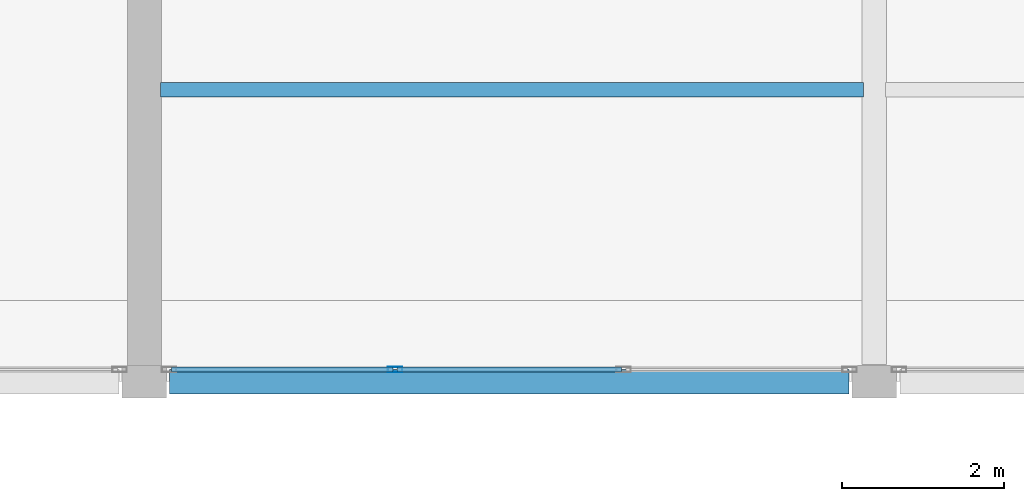
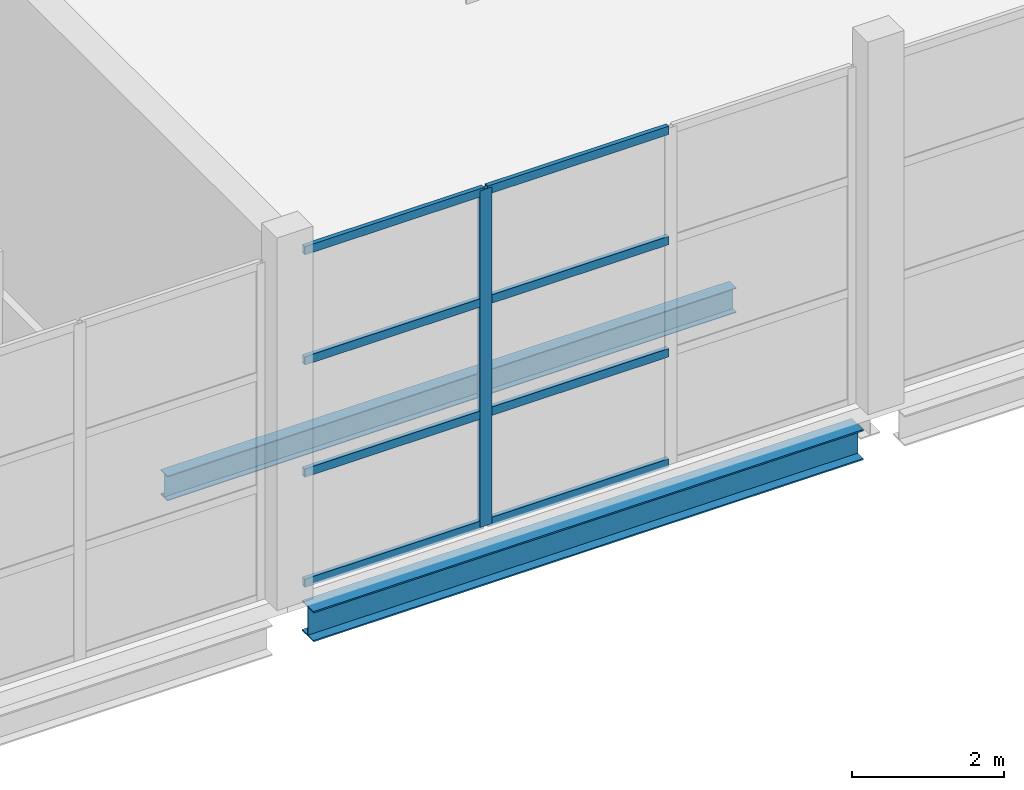
# One storey, part 71 of 191: 9 members, 2 beams, 1 element without a shape of its own.
"""IFC4 building model written with IfcOpenShell, lengths in metres."""

from ifc_helpers import new_model, si_unit, direction, frame, origin, origin_2d, place, context, subcontext, project, spatial, hollow_rectangle, i_section, extrude, material, layer, layer_set, material_profile, profile_set, type_object, element, aggregate, save


model = new_model("IFC4")

# Units and contexts
model_context = context("Model", 3, precision=1e-05, world=origin(), true_north=direction((0.0, 1.0)))
body_context = subcontext(model_context, "Body", "Model", "MODEL_VIEW")
ifc_project = project(units=[si_unit("LENGTHUNIT", "METRE"), si_unit("AREAUNIT", "SQUARE_METRE"), si_unit("VOLUMEUNIT", "CUBIC_METRE"), si_unit("PLANEANGLEUNIT", "RADIAN"), si_unit("MASSUNIT", "GRAM", prefix="KILO")], contexts=[model_context])

# Site, building, storey
site_placement = place(None, origin())
site = spatial("IfcSite", under=ifc_project, at=site_placement, CompositionType="ELEMENT")
building_placement = place(site_placement, origin())
building = spatial("IfcBuilding", under=site, at=building_placement, Name="Tamarisk Ironworks Central Station", CompositionType="ELEMENT")
storey_placement = place(building_placement, frame((0.0, 0.0, 6.60009765625)))
storey = spatial("IfcBuildingStorey", under=building, at=storey_placement, Name="L01", CompositionType="ELEMENT", Elevation=6.60009765625)

# Beams
ifc_material_1 = material(Name="Structural steel S355J2", Category="steel")
ifc_material_profile_1 = material_profile(ifc_material_1, i_section(OverallWidth=0.179931640625, OverallDepth=0.39990234375, WebThickness=0.008544921875, FlangeThickness=0.013427734375, at=origin_2d()), Name="IPE 400")
ifc_profile_set_1 = profile_set([ifc_material_profile_1], Name="Structural steel S355J2")
beam_type_1 = type_object("IfcBeamType", Name="BM-B04", PredefinedType="BEAM", material=ifc_profile_set_1)
beam_1_placement = place(storey_placement, frame((27.199951171875, 93.60009765625, -0.4501953125), z_axis=(1.0, 0.0, 0.0), x_axis=(0.0, 1.0, 0.0)))
element("IfcBeam", 1, at=beam_1_placement, inside=storey, type_object=beam_type_1, Name="L01 secondary composite beam 0060", PredefinedType="BEAM", context=body_context, shape_type="SweptSolid", body=[
    extrude(i_section(OverallWidth=0.179931640625, OverallDepth=0.39990234375, WebThickness=0.008544921875, FlangeThickness=0.013427734375, at=origin_2d()), origin(), (0.0, 0.0, 1.0), 8.6650390625),
])
ifc_material_profile_2 = material_profile(ifc_material_1, i_section(OverallWidth=0.300048828125, OverallDepth=0.489990234375, WebThickness=0.011962890625, FlangeThickness=0.02294921875, at=origin_2d()), Name="HEA 500")
ifc_profile_set_2 = profile_set([ifc_material_profile_2], Name="Structural steel S355J2")
beam_type_2 = type_object("IfcBeamType", Name="BM-G05", PredefinedType="BEAM", material=ifc_profile_set_2)
beam_2_placement = place(storey_placement, frame((27.31298828125, 90.0, -0.4951171875), z_axis=(1.0, 0.0, 0.0), x_axis=(0.0, 1.0, 0.0)))
element("IfcBeam", 2, at=beam_2_placement, inside=storey, type_object=beam_type_2, Name="L01 primary girder X-0096", PredefinedType="BEAM", context=body_context, shape_type="SweptSolid", body=[
    extrude(i_section(OverallWidth=0.300048828125, OverallDepth=0.489990234375, WebThickness=0.011962890625, FlangeThickness=0.02294921875, at=origin_2d()), origin(), (0.0, 0.0, 1.0), 8.3740234375),
])

# Curtain wall, members
ifc_material_2 = material(Name="Anodized aluminium alloy 6063-T6", Category="aluminium")
ifc_layer = layer(ifc_material_2, 0.179931640625)
ifc_layer_set = layer_set([ifc_layer], Name="Anodized aluminium alloy 6063-T6")
curtain_wall_type = type_object("IfcCurtainWallType", Name="CW-10", PredefinedType="USERDEFINED", material=ifc_layer_set)
curtain_wall_placement = place(storey_placement, origin())
curtain_wall = element("IfcCurtainWall", 3, at=curtain_wall_placement, inside=storey, type_object=curtain_wall_type, Name="Pavilion L01 S glazed arcade 27", ObjectType="GLAZED CURTAIN WALL", PredefinedType="USERDEFINED")
ifc_material_profile_3 = material_profile(ifc_material_2, hollow_rectangle(XDim=0.06494140625, YDim=0.179931640625, WallThickness=0.00390625, at=origin_2d()), Name="ALUM 180x65")
ifc_profile_set_3 = profile_set([ifc_material_profile_3], Name="Anodized aluminium alloy 6063-T6")
member_type_1 = type_object("IfcMemberType", Name="CWM-02", PredefinedType="MULLION", material=ifc_profile_set_3)
member_1_placement = place(storey_placement, frame((30.091064453125, 90.14990234375, 0.0), z_axis=(0.0, 0.0, 1.0), x_axis=(0.0, 1.0, 0.0)))
member_1 = element("IfcMember", 4, at=member_1_placement, type_object=member_type_1, Name="CW10 mullion 2", PredefinedType="MULLION", context=body_context, shape_type="SweptSolid", body=[
    extrude(hollow_rectangle(XDim=0.06494140625, YDim=0.179931640625, WallThickness=0.00390625, at=origin_2d()), origin(), (0.0, 0.0, 1.0), 5.419921875),
])
ifc_material_profile_4 = material_profile(ifc_material_2, hollow_rectangle(XDim=0.06494140625, YDim=0.135009765625, WallThickness=0.00341796875, at=origin_2d()), Name="ALUM 135x65")
ifc_profile_set_4 = profile_set([ifc_material_profile_4], Name="Anodized aluminium alloy 6063-T6")
member_type_2 = type_object("IfcMemberType", Name="CWT-02", PredefinedType="USERDEFINED", material=ifc_profile_set_4)
member_2_placement = place(storey_placement, frame((27.333984375, 90.14990234375, 0.032470703125), z_axis=(1.0, 0.0, 0.0), x_axis=(0.0, 1.0, 0.0)))
member_2 = element("IfcMember", 5, at=member_2_placement, type_object=member_type_2, Name="CW10 transom 1.1", ObjectType="TRANSOM", PredefinedType="USERDEFINED", context=body_context, shape_type="SweptSolid", body=[
    extrude(hollow_rectangle(XDim=0.06494140625, YDim=0.135009765625, WallThickness=0.00341796875, at=origin_2d()), origin(), (0.0, 0.0, 1.0), 2.728515625),
])
member_3_placement = place(storey_placement, frame((27.333984375, 90.14990234375, 1.806640625), z_axis=(1.0, 0.0, 0.0), x_axis=(0.0, 1.0, 0.0)))
member_3 = element("IfcMember", 6, at=member_3_placement, type_object=member_type_2, Name="CW10 transom 1.2", ObjectType="TRANSOM", PredefinedType="USERDEFINED", context=body_context, shape_type="SweptSolid", body=[
    extrude(hollow_rectangle(XDim=0.06494140625, YDim=0.135009765625, WallThickness=0.00341796875, at=origin_2d()), origin(), (0.0, 0.0, 1.0), 2.728515625),
])
member_4_placement = place(storey_placement, frame((27.333984375, 90.14990234375, 3.61328125), z_axis=(1.0, 0.0, 0.0), x_axis=(0.0, 1.0, 0.0)))
member_4 = element("IfcMember", 7, at=member_4_placement, type_object=member_type_2, Name="CW10 transom 1.3", ObjectType="TRANSOM", PredefinedType="USERDEFINED", context=body_context, shape_type="SweptSolid", body=[
    extrude(hollow_rectangle(XDim=0.06494140625, YDim=0.135009765625, WallThickness=0.00341796875, at=origin_2d()), origin(), (0.0, 0.0, 1.0), 2.728515625),
])
member_5_placement = place(storey_placement, frame((27.333984375, 90.14990234375, 5.387451171875), z_axis=(1.0, 0.0, 0.0), x_axis=(0.0, 1.0, 0.0)))
member_5 = element("IfcMember", 8, at=member_5_placement, type_object=member_type_2, Name="CW10 transom 1.4", ObjectType="TRANSOM", PredefinedType="USERDEFINED", context=body_context, shape_type="SweptSolid", body=[
    extrude(hollow_rectangle(XDim=0.06494140625, YDim=0.135009765625, WallThickness=0.00341796875, at=origin_2d()), origin(), (0.0, 0.0, 1.0), 2.728515625),
])
member_6_placement = place(storey_placement, frame((30.119384765625, 90.14990234375, 0.032470703125), z_axis=(1.0, 0.0, 0.0), x_axis=(0.0, 1.0, 0.0)))
member_6 = element("IfcMember", 9, at=member_6_placement, type_object=member_type_2, Name="CW10 transom 2.1", ObjectType="TRANSOM", PredefinedType="USERDEFINED", context=body_context, shape_type="SweptSolid", body=[
    extrude(hollow_rectangle(XDim=0.06494140625, YDim=0.135009765625, WallThickness=0.00341796875, at=origin_2d()), origin(), (0.0, 0.0, 1.0), 2.76123046875),
])
member_7_placement = place(storey_placement, frame((30.119384765625, 90.14990234375, 1.806640625), z_axis=(1.0, 0.0, 0.0), x_axis=(0.0, 1.0, 0.0)))
member_7 = element("IfcMember", 10, at=member_7_placement, type_object=member_type_2, Name="CW10 transom 2.2", ObjectType="TRANSOM", PredefinedType="USERDEFINED", context=body_context, shape_type="SweptSolid", body=[
    extrude(hollow_rectangle(XDim=0.06494140625, YDim=0.135009765625, WallThickness=0.00341796875, at=origin_2d()), origin(), (0.0, 0.0, 1.0), 2.76123046875),
])
member_8_placement = place(storey_placement, frame((30.119384765625, 90.14990234375, 3.61328125), z_axis=(1.0, 0.0, 0.0), x_axis=(0.0, 1.0, 0.0)))
member_8 = element("IfcMember", 11, at=member_8_placement, type_object=member_type_2, Name="CW10 transom 2.3", ObjectType="TRANSOM", PredefinedType="USERDEFINED", context=body_context, shape_type="SweptSolid", body=[
    extrude(hollow_rectangle(XDim=0.06494140625, YDim=0.135009765625, WallThickness=0.00341796875, at=origin_2d()), origin(), (0.0, 0.0, 1.0), 2.76123046875),
])
member_9_placement = place(storey_placement, frame((30.119384765625, 90.14990234375, 5.387451171875), z_axis=(1.0, 0.0, 0.0), x_axis=(0.0, 1.0, 0.0)))
member_9 = element("IfcMember", 12, at=member_9_placement, type_object=member_type_2, Name="CW10 transom 2.4", ObjectType="TRANSOM", PredefinedType="USERDEFINED", context=body_context, shape_type="SweptSolid", body=[
    extrude(hollow_rectangle(XDim=0.06494140625, YDim=0.135009765625, WallThickness=0.00341796875, at=origin_2d()), origin(), (0.0, 0.0, 1.0), 2.76123046875),
])
aggregate(curtain_wall, [member_1, member_2, member_3, member_4, member_5, member_6, member_7, member_8, member_9])

save(model, "model.ifc")
